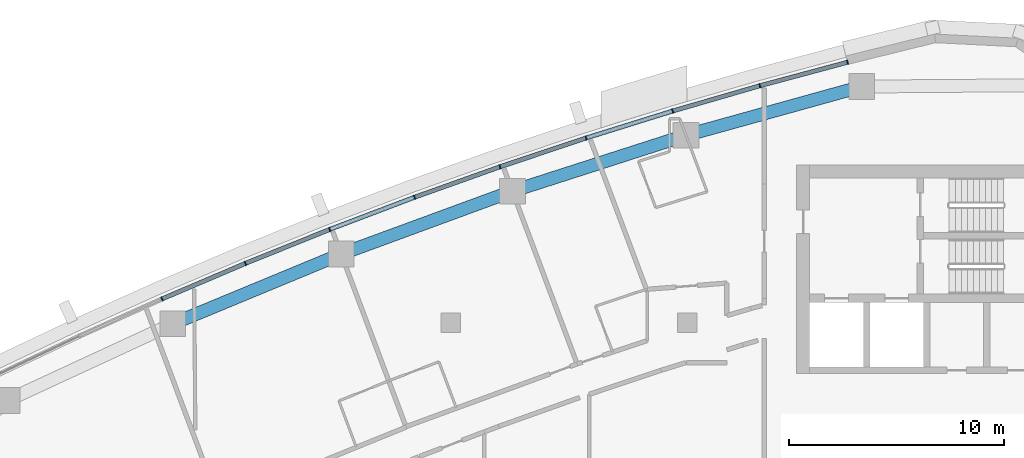
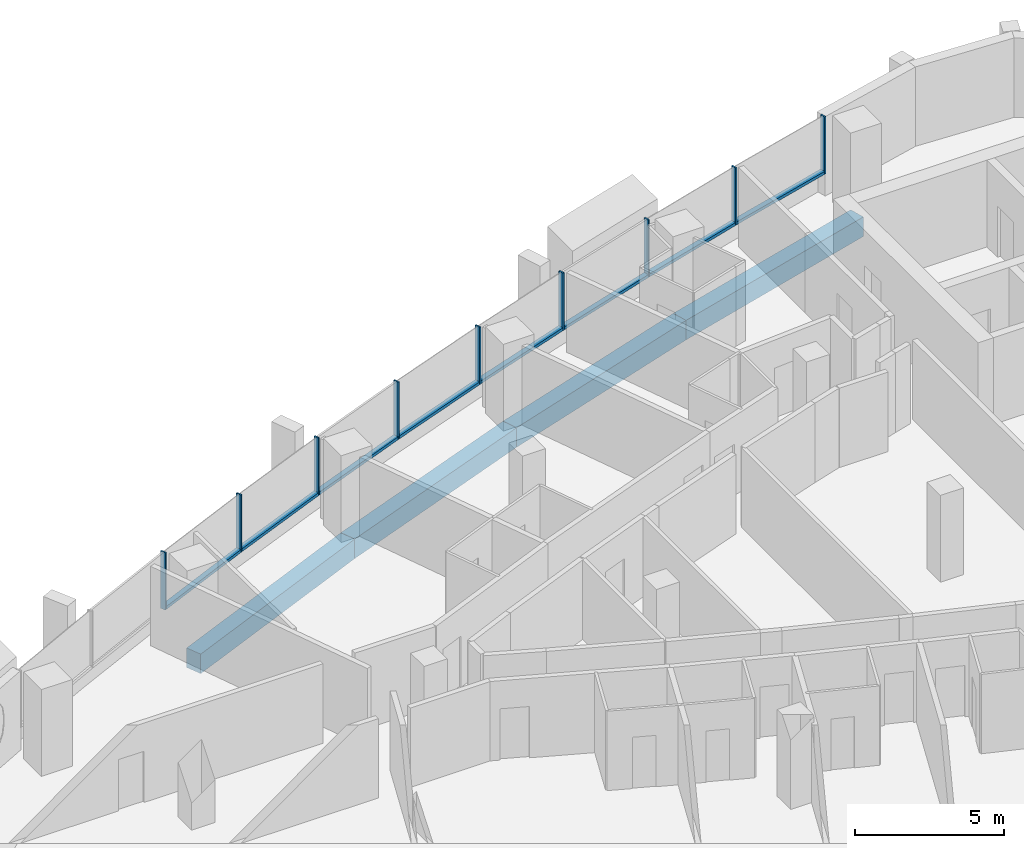
# One storey, part 6 of 16: 17 members, 4 beams, 4 elements without a shape of their own.
"""IFC4 building model written with IfcOpenShell, lengths in metres."""

from ifc_helpers import new_model, si_unit, direction, frame, origin, origin_2d, place, context, subcontext, project, spatial, rectangle, extrude, material, layer, layer_set, material_profile, profile_set, type_object, element, aggregate, save


model = new_model("IFC4")

# Units and contexts
model_context = context("Model", 3, precision=1e-05, world=origin(), true_north=direction((0.0, 1.0)))
body_context = subcontext(model_context, "Body", "Model", "MODEL_VIEW")
ifc_project = project(units=[si_unit("LENGTHUNIT", "METRE"), si_unit("AREAUNIT", "SQUARE_METRE"), si_unit("VOLUMEUNIT", "CUBIC_METRE"), si_unit("PLANEANGLEUNIT", "RADIAN"), si_unit("MASSUNIT", "GRAM", prefix="KILO")], contexts=[model_context])

# Site, building, storey
site_placement = place(None, origin())
site = spatial("IfcSite", under=ifc_project, at=site_placement, CompositionType="ELEMENT")
building_placement = place(site_placement, origin())
building = spatial("IfcBuilding", under=site, at=building_placement, Name="Ostrand Prow Hotel Tower", CompositionType="ELEMENT")
storey_placement = place(building_placement, frame((0.0, 0.0, 224.35009765625)))
storey = spatial("IfcBuildingStorey", under=building, at=storey_placement, Name="L56", CompositionType="ELEMENT", Elevation=224.35009765625)

# Beams
ifc_material_1 = material(Name="Concrete C50/60", Category="concrete")
ifc_material_profile_1 = material_profile(ifc_material_1, rectangle(XDim=0.60009765625, YDim=0.800048828125, at=origin_2d()), Name="RC 600x800")
ifc_profile_set_1 = profile_set([ifc_material_profile_1], Name="Concrete C50/60")
beam_type = type_object("IfcBeamType", Name="Edge beam 600x800 C50/60", PredefinedType="SPANDREL", material=ifc_profile_set_1)
for number, where, z_axis, x_axis, name in (
    (1, (53.12548828125, 19.99951171875, -0.7001953125), (-0.963625802813, -0.267255144297, 0.0), (0.267255144297, -0.963625802813, 0.0), "Edge beam N1-N2"),
    (2, (44.94677734375, 17.731201171875, -0.7001953125), (-0.95193933362, -0.306286638798, 0.0), (0.306286638798, -0.95193933362, 0.0), "Edge beam N2-N3"),
    (3, (36.8671875, 15.131591796875, -0.7001953125), (-0.938684959139, -0.344776083113, 0.0), (0.344776083113, -0.938684959139, 0.0), "Edge beam N3-N4"),
    (4, (28.900146484375, 12.205322265625, -0.7001953125), (-0.923890977326, -0.38265580097, 0.0), (0.38265580097, -0.923890977326, 0.0), "Edge beam N4-N5"),
):
    element("IfcBeam", number, at=place(storey_placement, frame(where, z_axis=z_axis, x_axis=x_axis)), inside=storey, type_object=beam_type, Name=name, PredefinedType="SPANDREL", context=body_context, shape_type="SweptSolid", body=[
        extrude(rectangle(XDim=0.60009765625, YDim=0.800048828125, at=origin_2d()), origin(), (0.0, 0.0, 1.0), 8.487548828125),
    ])

# Curtain wall, members
ifc_material_2 = material(Name="Insulated glass in bronze anodised frame", Category="glass")
ifc_layer = layer(ifc_material_2, 0.199951171875)
ifc_layer_set = layer_set([ifc_layer], Name="Insulated glass in bronze anodised frame")
curtain_wall_type = type_object("IfcCurtainWallType", Name="Strip curtain wall, fritted glass over bronze spandrel", PredefinedType="NOTDEFINED", material=ifc_layer_set)
curtain_wall_1_placement = place(storey_placement, origin())
curtain_wall_1 = element("IfcCurtainWall", 5, at=curtain_wall_1_placement, inside=storey, type_object=curtain_wall_type, Name="CW1 run CWN1", PredefinedType="NOTDEFINED")
ifc_material_3 = material(Name="Bronze anodised aluminium", Category="aluminium")
ifc_material_profile_2 = material_profile(ifc_material_3, rectangle(XDim=0.199951171875, YDim=0.06005859375, at=origin_2d()), Name="Mullion 60x200 bronze anodised aluminium")
ifc_profile_set_2 = profile_set([ifc_material_profile_2], Name="Bronze anodised aluminium")
member_type_1 = type_object("IfcMemberType", Name="Mullion 60x200 bronze anodised aluminium", PredefinedType="MULLION", material=ifc_profile_set_2)
member_1_placement = place(storey_placement, frame((52.465576171875, 21.1328125, 0.89990234375), z_axis=(0.0, 0.0, 1.0), x_axis=(0.258994370132, -0.965878831034, 0.0)))
member_1 = element("IfcMember", 6, at=member_1_placement, type_object=member_type_1, Name="CW1 mullion 1", PredefinedType="MULLION", context=body_context, shape_type="SweptSolid", body=[
    extrude(rectangle(XDim=0.199951171875, YDim=0.06005859375, at=origin_2d()), origin(), (0.0, 0.0, 1.0), 2.35009765625),
])
member_2_placement = place(storey_placement, frame((48.385986328125, 20.038818359375, 0.89990234375), z_axis=(0.0, 0.0, 1.0), x_axis=(0.27839270969, -0.960467333745, 0.0)))
member_2 = element("IfcMember", 7, at=member_2_placement, type_object=member_type_1, Name="CW1 mullion 2", PredefinedType="MULLION", context=body_context, shape_type="SweptSolid", body=[
    extrude(rectangle(XDim=0.199951171875, YDim=0.06005859375, at=origin_2d()), origin(), (0.0, 0.0, 1.0), 2.35009765625),
])
member_3_placement = place(storey_placement, frame((44.3291015625, 18.863037109375, 0.89990234375), z_axis=(0.0, 0.0, 1.0), x_axis=(0.27839270969, -0.960467333745, 0.0)))
member_3 = element("IfcMember", 8, at=member_3_placement, type_object=member_type_1, Name="CW1 mullion 3", PredefinedType="MULLION", context=body_context, shape_type="SweptSolid", body=[
    extrude(rectangle(XDim=0.199951171875, YDim=0.06005859375, at=origin_2d()), origin(), (0.0, 0.0, 1.0), 2.35009765625),
])

curtain_wall_2_placement = place(storey_placement, origin())
curtain_wall_2 = element("IfcCurtainWall", 9, at=curtain_wall_2_placement, inside=storey, type_object=curtain_wall_type, Name="CW1 run CWN2", PredefinedType="NOTDEFINED")
member_4_placement = place(storey_placement, frame((40.297119140625, 17.605712890625, 0.89990234375), z_axis=(0.0, 0.0, 1.0), x_axis=(0.31684118017, -0.948478606268, 0.0)))
member_4 = element("IfcMember", 10, at=member_4_placement, type_object=member_type_1, Name="CW1 mullion 2", PredefinedType="MULLION", context=body_context, shape_type="SweptSolid", body=[
    extrude(rectangle(XDim=0.199951171875, YDim=0.06005859375, at=origin_2d()), origin(), (0.0, 0.0, 1.0), 2.35009765625),
])
member_5_placement = place(storey_placement, frame((36.291015625, 16.267578125, 0.89990234375), z_axis=(0.0, 0.0, 1.0), x_axis=(0.31684118017, -0.948478606268, 0.0)))
member_5 = element("IfcMember", 11, at=member_5_placement, type_object=member_type_1, Name="CW1 mullion 3", PredefinedType="MULLION", context=body_context, shape_type="SweptSolid", body=[
    extrude(rectangle(XDim=0.199951171875, YDim=0.06005859375, at=origin_2d()), origin(), (0.0, 0.0, 1.0), 2.35009765625),
])

curtain_wall_3_placement = place(storey_placement, origin())
curtain_wall_3 = element("IfcCurtainWall", 12, at=curtain_wall_3_placement, inside=storey, type_object=curtain_wall_type, Name="CW1 run CWN3", PredefinedType="NOTDEFINED")
member_6_placement = place(storey_placement, frame((32.3125, 14.848876953125, 0.89990234375), z_axis=(0.0, 0.0, 1.0), x_axis=(0.354777361469, -0.934950813567, 0.0)))
member_6 = element("IfcMember", 13, at=member_6_placement, type_object=member_type_1, Name="CW1 mullion 2", PredefinedType="MULLION", context=body_context, shape_type="SweptSolid", body=[
    extrude(rectangle(XDim=0.199951171875, YDim=0.06005859375, at=origin_2d()), origin(), (0.0, 0.0, 1.0), 2.35009765625),
])
member_7_placement = place(storey_placement, frame((28.363525390625, 13.350341796875, 0.89990234375), z_axis=(0.0, 0.0, 1.0), x_axis=(0.354777361469, -0.934950813567, 0.0)))
member_7 = element("IfcMember", 14, at=member_7_placement, type_object=member_type_1, Name="CW1 mullion 3", PredefinedType="MULLION", context=body_context, shape_type="SweptSolid", body=[
    extrude(rectangle(XDim=0.199951171875, YDim=0.06005859375, at=origin_2d()), origin(), (0.0, 0.0, 1.0), 2.35009765625),
])

curtain_wall_4_placement = place(storey_placement, origin())
curtain_wall_4 = element("IfcCurtainWall", 15, at=curtain_wall_4_placement, inside=storey, type_object=curtain_wall_type, Name="CW1 run CWN4", PredefinedType="NOTDEFINED")
member_8_placement = place(storey_placement, frame((24.445556640625, 11.772705078125, 0.89990234375), z_axis=(0.0, 0.0, 1.0), x_axis=(0.392136433347, -0.919907070112, 0.0)))
member_8 = element("IfcMember", 16, at=member_8_placement, type_object=member_type_1, Name="CW1 mullion 2", PredefinedType="MULLION", context=body_context, shape_type="SweptSolid", body=[
    extrude(rectangle(XDim=0.199951171875, YDim=0.06005859375, at=origin_2d()), origin(), (0.0, 0.0, 1.0), 2.35009765625),
])
member_9_placement = place(storey_placement, frame((20.56005859375, 10.116455078125, 0.89990234375), z_axis=(0.0, 0.0, 1.0), x_axis=(0.392136433347, -0.919907070112, 0.0)))
member_9 = element("IfcMember", 17, at=member_9_placement, type_object=member_type_1, Name="CW1 mullion 3", PredefinedType="MULLION", context=body_context, shape_type="SweptSolid", body=[
    extrude(rectangle(XDim=0.199951171875, YDim=0.06005859375, at=origin_2d()), origin(), (0.0, 0.0, 1.0), 2.35009765625),
])

# Member
ifc_material_4 = material(Name="Bronze anodised aluminium", Category="aluminium")
ifc_material_profile_3 = material_profile(ifc_material_4, rectangle(XDim=0.199951171875, YDim=0.1201171875, at=origin_2d()), Name="Transom 120x200 bronze anodised aluminium")
ifc_profile_set_3 = profile_set([ifc_material_profile_3], Name="Bronze anodised aluminium")
member_type_2 = type_object("IfcMemberType", Name="Transom 120x200 bronze anodised aluminium", PredefinedType="USERDEFINED", material=ifc_profile_set_3)
member_10_placement = place(storey_placement, frame((52.4365234375, 21.125, 0.9599609375), z_axis=(-0.96587683346, -0.259001819657, 0.0), x_axis=(0.259001819657, -0.96587683346, 0.0)))
member_10 = element("IfcMember", 18, at=member_10_placement, type_object=member_type_2, Name="CW1 transom 1.1", ObjectType="TRANSOM", PredefinedType="USERDEFINED", context=body_context, shape_type="SweptSolid", body=[
    extrude(rectangle(XDim=0.199951171875, YDim=0.1201171875, at=origin_2d()), origin(), (0.0, 0.0, 1.0), 4.16357421875),
])

member_11_placement = place(storey_placement, frame((48.357177734375, 20.030517578125, 0.9599609375), z_axis=(-0.960468183791, -0.278389776976, 0.0), x_axis=(0.278389776976, -0.960468183791, 0.0)))
member_11 = element("IfcMember", 19, at=member_11_placement, type_object=member_type_2, Name="CW1 transom 2.1", ObjectType="TRANSOM", PredefinedType="USERDEFINED", context=body_context, shape_type="SweptSolid", body=[
    extrude(rectangle(XDim=0.199951171875, YDim=0.1201171875, at=origin_2d()), origin(), (0.0, 0.0, 1.0), 4.163818359375),
])

aggregate(curtain_wall_1, [member_1, member_2, member_3, member_10, member_11])

member_12_placement = place(storey_placement, frame((44.300537109375, 18.85400390625, 0.9599609375), z_axis=(-0.954676966691, -0.297643896746, 0.0), x_axis=(0.297643896746, -0.954676966691, 0.0)))
member_12 = element("IfcMember", 20, at=member_12_placement, type_object=member_type_2, Name="CW1 transom 1.1", ObjectType="TRANSOM", PredefinedType="USERDEFINED", context=body_context, shape_type="SweptSolid", body=[
    extrude(rectangle(XDim=0.199951171875, YDim=0.1201171875, at=origin_2d()), origin(), (0.0, 0.0, 1.0), 4.16357421875),
])

member_13_placement = place(storey_placement, frame((40.2685546875, 17.59619140625, 0.9599609375), z_axis=(-0.948489622939, -0.316808199353, 0.0), x_axis=(0.316808199353, -0.948489622939, 0.0)))
member_13 = element("IfcMember", 21, at=member_13_placement, type_object=member_type_2, Name="CW1 transom 2.1", ObjectType="TRANSOM", PredefinedType="USERDEFINED", context=body_context, shape_type="SweptSolid", body=[
    extrude(rectangle(XDim=0.199951171875, YDim=0.1201171875, at=origin_2d()), origin(), (0.0, 0.0, 1.0), 4.16357421875),
])

aggregate(curtain_wall_2, [member_4, member_5, member_12, member_13])

member_14_placement = place(storey_placement, frame((36.2626953125, 16.25732421875, 0.9599609375), z_axis=(-0.941911594104, -0.335860907061, 0.0), x_axis=(0.335860907061, -0.941911594104, 0.0)))
member_14 = element("IfcMember", 22, at=member_14_placement, type_object=member_type_2, Name="CW1 transom 1.1", ObjectType="TRANSOM", PredefinedType="USERDEFINED", context=body_context, shape_type="SweptSolid", body=[
    extrude(rectangle(XDim=0.199951171875, YDim=0.1201171875, at=origin_2d()), origin(), (0.0, 0.0, 1.0), 4.163818359375),
])

member_15_placement = place(storey_placement, frame((32.284423828125, 14.838134765625, 0.9599609375), z_axis=(-0.934960644813, -0.354751451936, 0.0), x_axis=(0.354751451936, -0.934960644813, 0.0)))
member_15 = element("IfcMember", 23, at=member_15_placement, type_object=member_type_2, Name="CW1 transom 2.1", ObjectType="TRANSOM", PredefinedType="USERDEFINED", context=body_context, shape_type="SweptSolid", body=[
    extrude(rectangle(XDim=0.199951171875, YDim=0.1201171875, at=origin_2d()), origin(), (0.0, 0.0, 1.0), 4.16357421875),
])

aggregate(curtain_wall_3, [member_6, member_7, member_14, member_15])

member_16_placement = place(storey_placement, frame((28.335693359375, 13.339111328125, 0.9599609375), z_axis=(-0.927625049372, -0.373512741119, 0.0), x_axis=(0.373512741119, -0.927625049372, 0.0)))
member_16 = element("IfcMember", 24, at=member_16_placement, type_object=member_type_2, Name="CW1 transom 1.1", ObjectType="TRANSOM", PredefinedType="USERDEFINED", context=body_context, shape_type="SweptSolid", body=[
    extrude(rectangle(XDim=0.199951171875, YDim=0.1201171875, at=origin_2d()), origin(), (0.0, 0.0, 1.0), 4.16357421875),
])

member_17_placement = place(storey_placement, frame((24.41796875, 11.760986328125, 0.9599609375), z_axis=(-0.919904541337, -0.392142365509, 0.0), x_axis=(0.392142365509, -0.919904541337, 0.0)))
member_17 = element("IfcMember", 25, at=member_17_placement, type_object=member_type_2, Name="CW1 transom 2.1", ObjectType="TRANSOM", PredefinedType="USERDEFINED", context=body_context, shape_type="SweptSolid", body=[
    extrude(rectangle(XDim=0.199951171875, YDim=0.1201171875, at=origin_2d()), origin(), (0.0, 0.0, 1.0), 4.163818359375),
])

aggregate(curtain_wall_4, [member_8, member_9, member_16, member_17])

save(model, "model.ifc")
